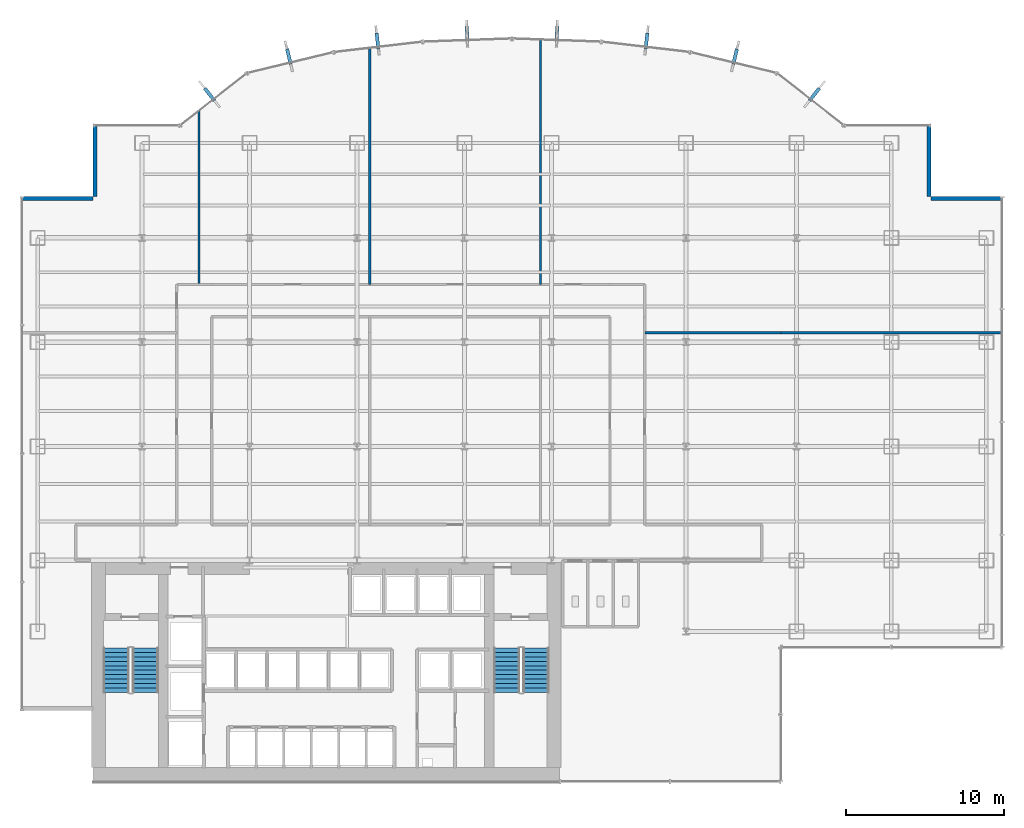
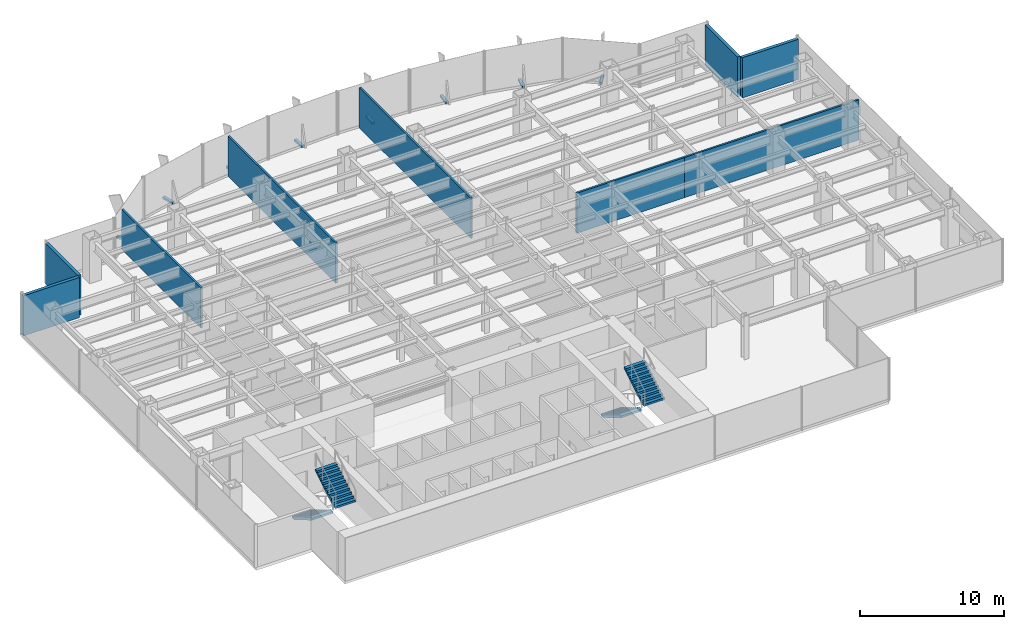
# One storey, part 19 of 22: 9 walls, 8 discrete accessories, 4 stair flights, 2 elements without a shape of their own.
"""IFC4 building model written with IfcOpenShell, lengths in metres."""

from ifc_helpers import new_model, si_unit, derived_unit, direction, frame, frame_2d, origin, origin_2d, place, context, subcontext, project, spatial, polyline, rectangle, outline, extrude, source, transform, mapped, material, layer, layer_set, type_object, element, aggregate, save


model = new_model("IFC4")

# Units and contexts
model_context = context("Model", 3, precision=1e-05, world=origin(), true_north=direction((0.0, 1.0)))
body_context = subcontext(model_context, "Body", "Model", "MODEL_VIEW")
ifc_project = project(units=[si_unit("LENGTHUNIT", "METRE"), si_unit("AREAUNIT", "SQUARE_METRE"), si_unit("VOLUMEUNIT", "CUBIC_METRE"), si_unit("PLANEANGLEUNIT", "RADIAN"), si_unit("MASSUNIT", "GRAM", prefix="KILO"), derived_unit("THERMALTRANSMITTANCEUNIT", [(si_unit("POWERUNIT", "WATT"), 1), (si_unit("LENGTHUNIT", "METRE"), -2), (si_unit("THERMODYNAMICTEMPERATUREUNIT", "KELVIN"), -1)])], contexts=[model_context])

# Site, building, storey
site_placement = place(None, origin())
site = spatial("IfcSite", under=ifc_project, at=site_placement, CompositionType="ELEMENT")
building_placement = place(site_placement, origin())
building = spatial("IfcBuilding", under=site, at=building_placement, Name="Skarnbrae Concourse Arena and Tower", CompositionType="ELEMENT")
storey_placement = place(building_placement, frame((0.0, 0.0, 36.14990234375)))
storey = spatial("IfcBuildingStorey", under=building, at=storey_placement, Name="L07", CompositionType="ELEMENT", Elevation=36.14990234375)

# Walls
ifc_material_1 = material(Name="Precast concrete 40 MPa (C40/50)", Category="concrete")
ifc_layer_1 = layer(ifc_material_1, 0.25)
ifc_layer_set_1 = layer_set([ifc_layer_1], Name="Precast concrete 40 MPa (C40/50)")
wall_type_1 = type_object("IfcWallType", Name="WALL-EXT-SPANDREL-250", PredefinedType="STANDARD", material=ifc_layer_set_1)
shared_shape_1 = source(origin(), body_context, "Body", "SweptSolid", [
    extrude(rectangle(XDim=4.5, YDim=0.25, at=frame_2d((2.25, 0.0))), origin(), (0.0, 0.0, 1.0), 3.400146484375),
])
for number, where, z_axis, x_axis, name in (
    (1, (62.0, 36.875, 0.0), (0.0, 0.0, 1.0), (-1.0, 0.0, 0.0), "L07 Notched corner insulated return wall 05"),
    (2, (57.375, 37.0, 0.0), (0.0, 0.0, 1.0), (0.0, 1.0, 0.0), "L07 Notched corner insulated return wall 06"),
    (3, (4.625, 41.5, 0.0), (0.0, 0.0, 1.0), (0.0, -1.0, 0.0), "L07 Notched corner insulated return wall 17"),
    (4, (4.5, 36.875, 0.0), (0.0, 0.0, 1.0), (-1.0, 0.0, 0.0), "L07 Notched corner insulated return wall 18"),
):
    element("IfcWall", number, at=place(storey_placement, frame(where, z_axis=z_axis, x_axis=x_axis)), inside=storey, type_object=wall_type_1, Name=name, PredefinedType="STANDARD", context=body_context, shape_type="MappedRepresentation", body=[
        mapped(shared_shape_1, transform((0.0, 0.0, 0.0))),
    ])
ifc_material_2 = material(Name="Gypsum board on cold-formed steel studs", Category="steel")
ifc_layer_2 = layer(ifc_material_2, 0.14990234375)
ifc_layer_set_2 = layer_set([ifc_layer_2], Name="Gypsum board on cold-formed steel studs")
wall_type_2 = type_object("IfcWallType", Name="WALL-PART-150", PredefinedType="PARTITIONING", material=ifc_layer_set_2)
shared_shape_2 = source(origin(), body_context, "Body", "SweptSolid", [
    extrude(rectangle(XDim=10.96337890625, YDim=0.14990234375, at=frame_2d((5.481689453125, 0.0))), origin(), (0.0, 0.0, 1.0), 3.400146484375),
])
wall_1_placement = place(storey_placement, frame((11.199951171875, 42.413330078125, 0.0), z_axis=(0.0, 0.0, 1.0), x_axis=(0.0, -1.0, 0.0)))
element("IfcWall", 5, at=wall_1_placement, inside=storey, type_object=wall_type_2, Name="L07 Interior partition wall W-L07-DEM-19", PredefinedType="PARTITIONING", context=body_context, shape_type="MappedRepresentation", body=[
    mapped(shared_shape_2, transform((0.0, 0.0, 0.0))),
])
shared_shape_3 = source(origin(), body_context, "Body", "SweptSolid", [
    extrude(rectangle(XDim=14.935791015625, YDim=0.14990234375, at=frame_2d((7.4677734375, 0.0))), origin(), (0.0, 0.0, 1.0), 3.400146484375),
])
wall_2_placement = place(storey_placement, frame((22.0, 46.3857421875, 0.0), z_axis=(0.0, 0.0, 1.0), x_axis=(0.0, -1.0, 0.0)))
element("IfcWall", 6, at=wall_2_placement, inside=storey, type_object=wall_type_2, Name="L07 Interior partition wall W-L07-DEM-22", PredefinedType="PARTITIONING", context=body_context, shape_type="MappedRepresentation", body=[
    mapped(shared_shape_3, transform((0.0, 0.0, 0.0))),
])
shared_shape_4 = source(origin(), body_context, "Body", "SweptSolid", [
    extrude(rectangle(XDim=15.46533203125, YDim=0.14990234375, at=frame_2d((7.732666015625, 0.0))), origin(), (0.0, 0.0, 1.0), 3.400146484375),
])
wall_3_placement = place(storey_placement, frame((32.800048828125, 46.915283203125, 0.0), z_axis=(0.0, 0.0, 1.0), x_axis=(0.0, -1.0, 0.0)))
element("IfcWall", 7, at=wall_3_placement, inside=storey, type_object=wall_type_2, Name="L07 Interior partition wall W-L07-DEM-25", PredefinedType="PARTITIONING", context=body_context, shape_type="MappedRepresentation", body=[
    mapped(shared_shape_4, transform((0.0, 0.0, 0.0))),
])
shared_shape_5 = source(origin(), body_context, "Body", "SweptSolid", [
    extrude(rectangle(XDim=13.97998046875, YDim=0.14990234375, at=frame_2d((6.989990234375, 0.0))), origin(), (0.0, 0.0, 1.0), 3.400146484375),
])
wall_4_placement = place(storey_placement, frame((61.97998046875, 28.39990234375, 0.0), z_axis=(0.0, 0.0, 1.0), x_axis=(-1.0, 0.0, 0.0)))
element("IfcWall", 8, at=wall_4_placement, inside=storey, type_object=wall_type_2, Name="L07 Interior partition wall W-L07-DEM-26", PredefinedType="PARTITIONING", context=body_context, shape_type="MappedRepresentation", body=[
    mapped(shared_shape_5, transform((0.0, 0.0, 0.0))),
])
shared_shape_6 = source(origin(), body_context, "Body", "SweptSolid", [
    extrude(rectangle(XDim=8.60009765625, YDim=0.14990234375, at=frame_2d((4.300048828125, 0.0))), origin(), (0.0, 0.0, 1.0), 3.400146484375),
])
wall_5_placement = place(storey_placement, frame((48.0, 28.39990234375, 0.0), z_axis=(0.0, 0.0, 1.0), x_axis=(-1.0, 0.0, 0.0)))
element("IfcWall", 9, at=wall_5_placement, inside=storey, type_object=wall_type_2, Name="L07 Interior partition wall W-L07-DEM-27", PredefinedType="PARTITIONING", context=body_context, shape_type="MappedRepresentation", body=[
    mapped(shared_shape_6, transform((0.0, 0.0, 0.0))),
])

# Stair, stair flights
ifc_material_3 = material(Name="Concrete 40 MPa (C40/50)", Category="concrete")
stair_type = type_object("IfcStairType", Name="STAIR-DOGLEG-1650", PredefinedType="HALF_TURN_STAIR", material=ifc_material_3)
stair_1_placement = place(storey_placement, origin())
stair_1 = element("IfcStair", 10, at=stair_1_placement, inside=storey, type_object=stair_type, Name="L07 Protected Exit Stair ST-1", PredefinedType="HALF_TURN_STAIR")
stair_flight_type = type_object("IfcStairFlightType", Name="FLIGHT-STRAIGHT-1650", PredefinedType="STRAIGHT", material=ifc_material_3)
shared_shape_7 = source(origin(), body_context, "Body", "SweptSolid", [
    extrude(outline(polyline([(0.0, 0.0), (0.0, 0.166015625), (0.280029296875, 0.166015625), (0.280029296875, 0.331787109375), (0.56005859375, 0.331787109375), (0.56005859375, 0.497802734375), (0.840087890625, 0.497802734375), (0.840087890625, 0.66357421875), (1.1201171875, 0.66357421875), (1.1201171875, 0.82958984375), (1.39990234375, 0.82958984375), (1.39990234375, 0.995361328125), (1.679931640625, 0.995361328125), (1.679931640625, 1.161376953125), (1.9599609375, 1.161376953125), (1.9599609375, 1.327392578125), (2.239990234375, 1.327392578125), (2.239990234375, 1.4931640625), (2.52001953125, 1.4931640625), (2.52001953125, 1.6591796875), (2.800048828125, 1.6591796875), (2.800048828125, 1.824951171875), (2.800048828125, 1.48486328125), (0.2939453125, 0.0), (0.0, 0.0)])), frame((0.0, 0.824951171875, 0.0), z_axis=(0.0, -1.0, 0.0), x_axis=(1.0, 0.0, 0.0)), (0.0, 0.0, 1.0), 1.64990234375),
])
stair_flight_1_placement = place(storey_placement, frame((5.97509765625, 8.449951171875, 0.0), z_axis=(0.0, 0.0, 1.0), x_axis=(0.0, -1.0, 0.0)))
stair_flight_1 = element("IfcStairFlight", 11, at=stair_flight_1_placement, type_object=stair_flight_type, Name="ST-1 flight 1", NumberOfRisers=11, NumberOfTreads=10, PredefinedType="STRAIGHT", RiserHeight=0.165909091, TreadLength=0.28, context=body_context, shape_type="MappedRepresentation", body=[
    mapped(shared_shape_7, transform((0.0, 0.0, 0.0))),
])
stair_flight_2_placement = place(storey_placement, frame((7.824951171875, 5.64990234375, 1.8251953125), z_axis=(0.0, 0.0, 1.0), x_axis=(0.0, 1.0, 0.0)))
stair_flight_2 = element("IfcStairFlight", 12, at=stair_flight_2_placement, type_object=stair_flight_type, Name="ST-1 flight 2", NumberOfRisers=11, NumberOfTreads=10, PredefinedType="STRAIGHT", RiserHeight=0.165909091, TreadLength=0.28, context=body_context, shape_type="MappedRepresentation", body=[
    mapped(shared_shape_7, transform((0.0, 0.0, 0.0))),
])
aggregate(stair_1, [stair_flight_1, stair_flight_2])

stair_2_placement = place(storey_placement, origin())
stair_2 = element("IfcStair", 13, at=stair_2_placement, inside=storey, type_object=stair_type, Name="L07 Protected Exit Stair ST-2", PredefinedType="HALF_TURN_STAIR")
stair_flight_3_placement = place(storey_placement, frame((30.675048828125, 8.449951171875, 0.0), z_axis=(0.0, 0.0, 1.0), x_axis=(0.0, -1.0, 0.0)))
stair_flight_3 = element("IfcStairFlight", 14, at=stair_flight_3_placement, type_object=stair_flight_type, Name="ST-2 flight 1", NumberOfRisers=11, NumberOfTreads=10, PredefinedType="STRAIGHT", RiserHeight=0.165909091, TreadLength=0.28, context=body_context, shape_type="MappedRepresentation", body=[
    mapped(shared_shape_7, transform((0.0, 0.0, 0.0))),
])
stair_flight_4_placement = place(storey_placement, frame((32.52490234375, 5.64990234375, 1.8251953125), z_axis=(0.0, 0.0, 1.0), x_axis=(0.0, 1.0, 0.0)))
stair_flight_4 = element("IfcStairFlight", 15, at=stair_flight_4_placement, type_object=stair_flight_type, Name="ST-2 flight 2", NumberOfRisers=11, NumberOfTreads=10, PredefinedType="STRAIGHT", RiserHeight=0.165909091, TreadLength=0.28, context=body_context, shape_type="MappedRepresentation", body=[
    mapped(shared_shape_7, transform((0.0, 0.0, 0.0))),
])
aggregate(stair_2, [stair_flight_3, stair_flight_4])

# Discrete accessories
ifc_material_4 = material(Name="Bronze anodised aluminium 6063-T6", Category="aluminium")
discrete_accessory_type = type_object("IfcDiscreteAccessoryType", Name="ACC-FIN-BRACKET", PredefinedType="BRACKET", material=ifc_material_4)
shared_shape_8 = source(origin(), body_context, "Body", "SweptSolid", [
    extrude(rectangle(XDim=0.219970703125, YDim=0.97998046875, at=origin_2d()), origin(), (0.0, 0.0, 1.0), 0.179931640625),
])
for number, where, z_axis, x_axis, name in (
    (16, (50.129638671875, 43.470947265625, -0.02978515625), (0.0, 0.0, 1.0), (0.787656027369, -0.616115234797, 0.0), "L07 Bronze fin foot support bracket 08"),
    (17, (45.11328125, 45.864990234375, -0.02978515625), (0.0, 0.0, 1.0), (0.971973311258, -0.235091221021, 0.0), "L07 Bronze fin foot support bracket 09"),
    (18, (39.509521484375, 46.865966796875, -0.02978515625), (0.0, 0.0, 1.0), (0.993243759876, -0.116046686587, 0.0), "L07 Bronze fin foot support bracket 10"),
    (19, (33.84130859375, 47.298095703125, -0.02978515625), (0.0, 0.0, 1.0), (0.999355613141, -0.035893710914, 0.0), "L07 Bronze fin foot support bracket 11"),
    (20, (28.15869140625, 47.298095703125, -0.02978515625), (0.0, 0.0, 1.0), (0.999355613141, 0.035893710914, 0.0), "L07 Bronze fin foot support bracket 12"),
    (21, (22.490478515625, 46.865966796875, -0.02978515625), (0.0, 0.0, 1.0), (0.993243759876, 0.116046686587, 0.0), "L07 Bronze fin foot support bracket 13"),
    (22, (16.88671875, 45.864990234375, -0.02978515625), (0.0, 0.0, 1.0), (0.971973311258, 0.235091221021, 0.0), "L07 Bronze fin foot support bracket 14"),
    (23, (11.870361328125, 43.470947265625, -0.02978515625), (0.0, 0.0, 1.0), (0.787656027369, 0.616115234797, 0.0), "L07 Bronze fin foot support bracket 15"),
):
    element("IfcDiscreteAccessory", number, at=place(storey_placement, frame(where, z_axis=z_axis, x_axis=x_axis)), inside=storey, type_object=discrete_accessory_type, Name=name, PredefinedType="BRACKET", context=body_context, shape_type="MappedRepresentation", body=[
        mapped(shared_shape_8, transform((0.0, 0.0, 0.0))),
    ])

save(model, "model.ifc")
